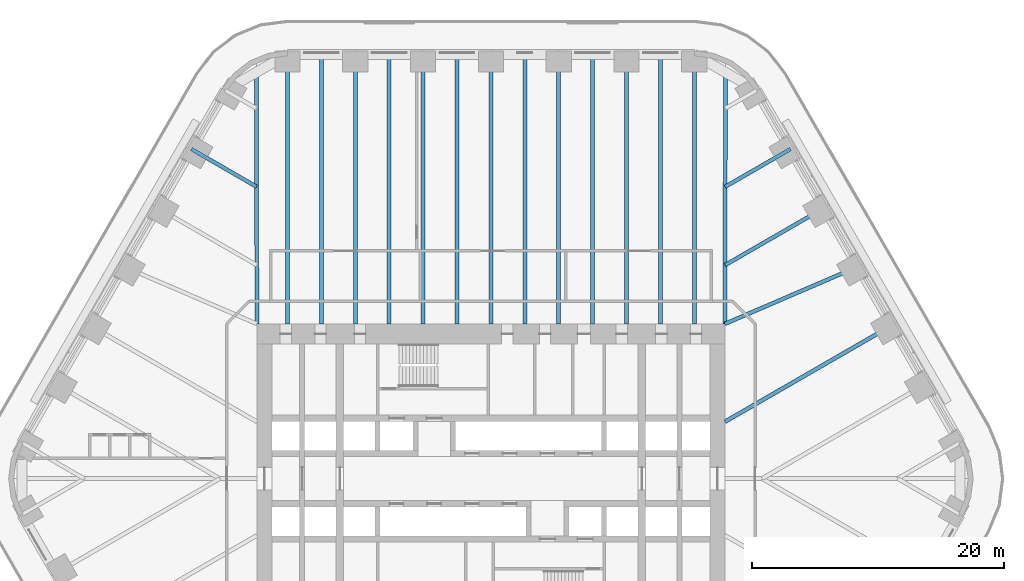
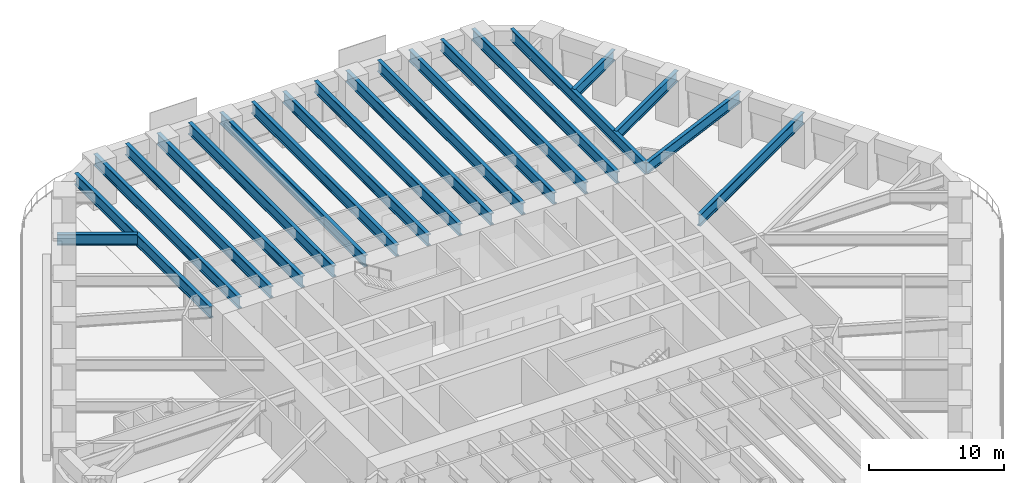
# One storey, part 10 of 23: 20 beams.
"""IFC4 building model written with IfcOpenShell, lengths in metres."""

from ifc_helpers import new_model, si_unit, direction, frame, origin, origin_2d, place, context, subcontext, project, spatial, i_section, extrude, material, material_profile, profile_set, type_object, element, save


model = new_model("IFC4")

# Units and contexts
model_context = context("Model", 3, precision=1e-05, world=origin(), true_north=direction((0.0, 1.0)))
body_context = subcontext(model_context, "Body", "Model", "MODEL_VIEW")
ifc_project = project(units=[si_unit("LENGTHUNIT", "METRE"), si_unit("AREAUNIT", "SQUARE_METRE"), si_unit("VOLUMEUNIT", "CUBIC_METRE"), si_unit("PLANEANGLEUNIT", "RADIAN"), si_unit("MASSUNIT", "GRAM", prefix="KILO")], contexts=[model_context])

# Site, building, storey
site_placement = place(None, origin())
site = spatial("IfcSite", under=ifc_project, at=site_placement, CompositionType="ELEMENT")
building_placement = place(site_placement, origin())
building = spatial("IfcBuilding", under=site, at=building_placement, Name="Tarfa Lantern Tower", CompositionType="ELEMENT")
storey_placement = place(building_placement, frame((0.0, 0.0, 78.10009765625)))
storey = spatial("IfcBuildingStorey", under=building, at=storey_placement, Name="L17", CompositionType="ELEMENT", Elevation=78.10009765625)

# Beams
ifc_material = material(Name="Steel S460M", Category="steel")
ifc_material_profile_1 = material_profile(ifc_material, i_section(OverallWidth=0.302001953125, OverallDepth=1.008056640625, WebThickness=0.02099609375, FlangeThickness=0.0400390625, FilletRadius=0.030029296875, at=origin_2d()), Name="UB1016x305x349")
ifc_profile_set_1 = profile_set([ifc_material_profile_1], Name="Steel S460M")
beam_type_1 = type_object("IfcBeamType", Name="UB1016x305x349", PredefinedType="BEAM", material=ifc_profile_set_1)
beam_1_placement = place(storey_placement, frame((29.202392578125, 16.860107421875, 3.495849609375), z_axis=(-0.918635483867, -0.395106122175, 0.0), x_axis=(0.395106122175, -0.918635483867, 0.0)))
element("IfcBeam", 1, at=beam_1_placement, inside=storey, type_object=beam_type_1, Name="Floor beam NE3", PredefinedType="BEAM", context=body_context, shape_type="SweptSolid", body=[
    extrude(i_section(OverallWidth=0.302001953125, OverallDepth=1.008056640625, WebThickness=0.02099609375, FlangeThickness=0.0400390625, FilletRadius=0.030029296875, at=origin_2d()), origin(), (0.0, 0.0, 1.0), 11.541259765625),
])
beam_2_placement = place(storey_placement, frame((26.508056640625, 21.526611328125, 3.495849609375), z_axis=(-0.866035355799, -0.49998276221, 0.0), x_axis=(0.49998276221, -0.866035355799, 0.0)))
element("IfcBeam", 2, at=beam_2_placement, inside=storey, type_object=beam_type_1, Name="Floor beam NE4", PredefinedType="BEAM", context=body_context, shape_type="SweptSolid", body=[
    extrude(i_section(OverallWidth=0.302001953125, OverallDepth=1.008056640625, WebThickness=0.02099609375, FlangeThickness=0.0400390625, FilletRadius=0.030029296875, at=origin_2d()), origin(), (0.0, 0.0, 1.0), 9.119873046875),
])
for number, where, z_axis, x_axis, name in (
    (3, (23.813720703125, 26.193359375, 3.495849609375), (-0.866015997389, -0.500016292001, 0.0), (0.500016292001, -0.866015997389, 0.0), "Floor beam NE5"),
    (4, (-23.813720703125, 26.193359375, 3.495849609375), (0.866015997389, -0.500016292001, 0.0), (0.500016292001, 0.866015997389, 0.0), "Floor beam NW1"),
):
    element("IfcBeam", number, at=place(storey_placement, frame(where, z_axis=z_axis, x_axis=x_axis)), inside=storey, type_object=beam_type_1, Name=name, PredefinedType="BEAM", context=body_context, shape_type="SweptSolid", body=[
        extrude(i_section(OverallWidth=0.302001953125, OverallDepth=1.008056640625, WebThickness=0.02099609375, FlangeThickness=0.0400390625, FilletRadius=0.030029296875, at=origin_2d()), origin(), (0.0, 0.0, 1.0), 5.993408203125),
    ])
ifc_material_profile_2 = material_profile(ifc_material, i_section(OverallWidth=0.314208984375, OverallDepth=1.055908203125, WebThickness=0.035888671875, FlangeThickness=0.06396484375, FilletRadius=0.030029296875, at=origin_2d()), Name="UB1016x305x584")
ifc_profile_set_2 = profile_set([ifc_material_profile_2], Name="Steel S460M")
beam_type_2 = type_object("IfcBeamType", Name="UB1016x305x584", PredefinedType="BEAM", material=ifc_profile_set_2)
for number, where, z_axis, x_axis, name in (
    (5, (18.60009765625, 12.300048828125, 3.471923828125), (0.00212508222, 0.99999774201, 0.0), (-0.99999774201, 0.00212508222, 0.0), "Hip girder NE"),
    (6, (-18.60009765625, 12.300048828125, 3.471923828125), (-0.00212508222, 0.99999774201, 0.0), (-0.99999774201, -0.00212508222, 0.0), "Hip girder NW"),
):
    element("IfcBeam", number, at=place(storey_placement, frame(where, z_axis=z_axis, x_axis=x_axis)), inside=storey, type_object=beam_type_2, Name=name, PredefinedType="BEAM", context=body_context, shape_type="SweptSolid", body=[
        extrude(i_section(OverallWidth=0.314208984375, OverallDepth=1.055908203125, WebThickness=0.035888671875, FlangeThickness=0.06396484375, FilletRadius=0.030029296875, at=origin_2d()), origin(), (0.0, 0.0, 1.0), 19.989990234375),
    ])
beam_3_placement = place(storey_placement, frame((31.896728515625, 12.193359375, 3.471923828125), z_axis=(-0.866026971665, -0.499997284341, 0.0), x_axis=(0.499997284341, -0.866026971665, 0.0)))
element("IfcBeam", 7, at=beam_3_placement, inside=storey, type_object=beam_type_2, Name="Floor beam NE2", PredefinedType="BEAM", context=body_context, shape_type="SweptSolid", body=[
    extrude(i_section(OverallWidth=0.314208984375, OverallDepth=1.055908203125, WebThickness=0.035888671875, FlangeThickness=0.06396484375, FilletRadius=0.030029296875, at=origin_2d()), origin(), (0.0, 0.0, 1.0), 15.353515625),
])
for number, where, z_axis, x_axis, name in (
    (8, (16.165771484375, 33.719970703125, 3.471923828125), (0.0, -1.0, 0.0), (1.0, 0.0, 0.0), "Floor beam N0"),
    (9, (10.777099609375, 33.719970703125, 3.471923828125), (0.0, -1.0, 0.0), (1.0, 0.0, 0.0), "Floor beam N1"),
    (10, (5.388671875, 33.719970703125, 3.471923828125), (0.0, -1.0, 0.0), (1.0, 0.0, 0.0), "Floor beam N2"),
    (11, (0.0, 33.719970703125, 3.471923828125), (0.0, -1.0, 0.0), (1.0, 0.0, 0.0), "Floor beam N3"),
    (12, (-5.388671875, 33.719970703125, 3.471923828125), (0.0, -1.0, 0.0), (1.0, 0.0, 0.0), "Floor beam N4"),
    (13, (-10.777099609375, 33.719970703125, 3.471923828125), (0.0, -1.0, 0.0), (1.0, 0.0, 0.0), "Floor beam N5"),
    (14, (-16.165771484375, 33.719970703125, 3.471923828125), (0.0, -1.0, 0.0), (1.0, 0.0, 0.0), "Floor beam N6"),
    (15, (13.471435546875, 33.719970703125, 3.471923828125), (0.0, -1.0, 0.0), (1.0, 0.0, 0.0), "Floor beam N0M"),
    (16, (8.0830078125, 33.719970703125, 3.471923828125), (0.0, -1.0, 0.0), (1.0, 0.0, 0.0), "Floor beam N1M"),
    (17, (2.6943359375, 33.719970703125, 3.471923828125), (0.0, -1.0, 0.0), (1.0, 0.0, 0.0), "Floor beam N2M"),
    (18, (-2.6943359375, 33.719970703125, 3.471923828125), (0.0, -1.0, 0.0), (1.0, 0.0, 0.0), "Floor beam N3M"),
    (19, (-8.0830078125, 33.719970703125, 3.471923828125), (0.0, -1.0, 0.0), (1.0, 0.0, 0.0), "Floor beam N4M"),
    (20, (-13.471435546875, 33.719970703125, 3.471923828125), (0.0, -1.0, 0.0), (1.0, 0.0, 0.0), "Floor beam N5M"),
):
    element("IfcBeam", number, at=place(storey_placement, frame(where, z_axis=z_axis, x_axis=x_axis)), inside=storey, type_object=beam_type_2, Name=name, PredefinedType="BEAM", context=body_context, shape_type="SweptSolid", body=[
        extrude(i_section(OverallWidth=0.314208984375, OverallDepth=1.055908203125, WebThickness=0.035888671875, FlangeThickness=0.06396484375, FilletRadius=0.030029296875, at=origin_2d()), origin(), (0.0, 0.0, 1.0), 21.419921875),
    ])

save(model, "model.ifc")
